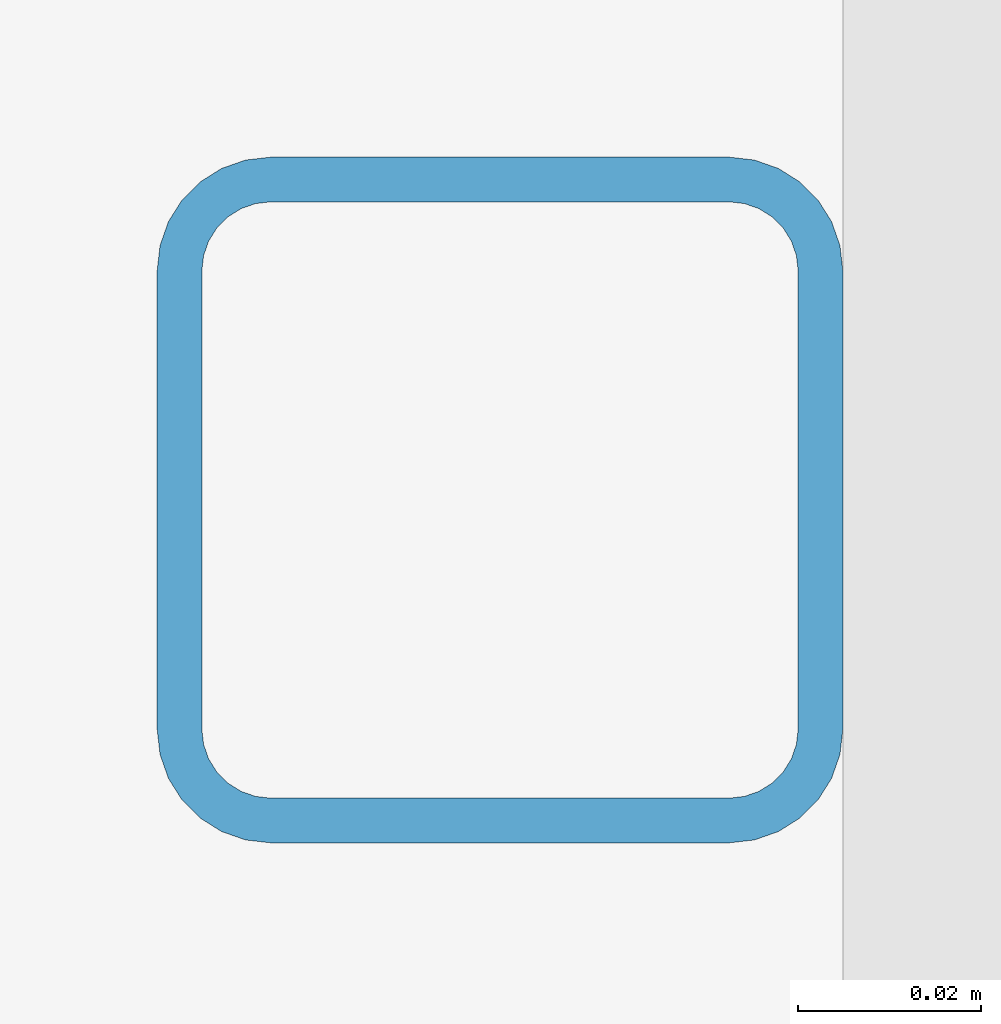
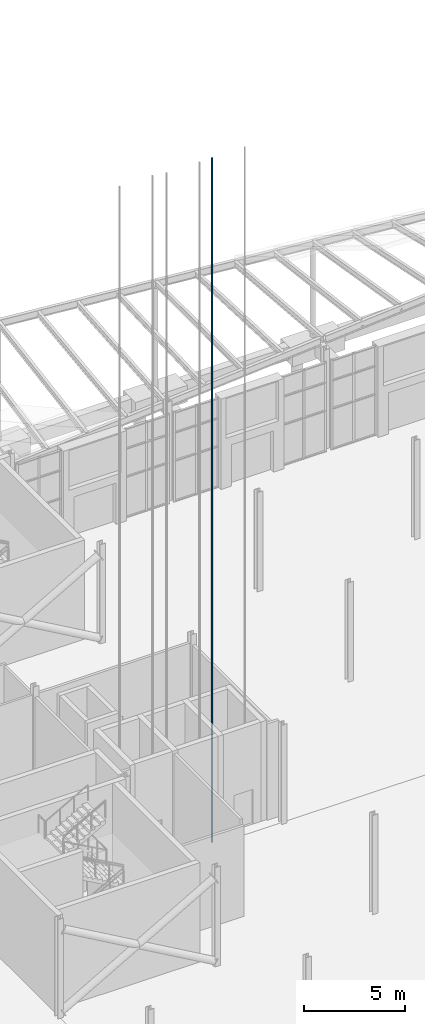
# One storey, part 59 of 139: 1 member.
"""IFC4 building model written with IfcOpenShell, lengths in metres."""

import ifcopenshell
import ifcopenshell.guid

model = None  # the IFC model being written
_history = None  # IfcOwnerHistory: only IFC2X3 demands one
_inside = {}  # id of a spatial element -> (the spatial element, [elements in it])
_under = {}  # id of a project, library or spatial element -> (it, [spatial elements below it])
_declared = {}  # id of a project -> (the project, [libraries it declares])
_typed = {}  # id of a type object -> (the type object, [elements of that type])
_made_of = {}  # id of a material, layer set ... -> (it, [elements and type objects made of it])


def new_model(schema):
    """Start an empty IFC model of exactly this schema.

    Asked for "IFC4X3", IfcOpenShell would pick the latest addendum, in which some entities
    have other attributes; the version numbers below select the first issue.
    IFC2X3 requires an IfcOwnerHistory on every rooted entity: one is made here for all.
    """
    global model, _history
    if schema == "IFC4X3":
        model = ifcopenshell.file(schema_version=(4, 3, 0, 0))
    else:
        model = ifcopenshell.file(schema=schema)
    _inside.clear()
    _under.clear()
    _declared.clear()
    _typed.clear()
    _made_of.clear()
    _history = None
    if model.schema == "IFC2X3":
        org = make("IfcOrganization", Name="unknown")
        user = make(
            "IfcPersonAndOrganization",
            ThePerson=make("IfcPerson", FamilyName="unknown"),
            TheOrganization=org,
        )
        app = make(
            "IfcApplication",
            ApplicationDeveloper=org,
            Version="unknown",
            ApplicationFullName="unknown",
            ApplicationIdentifier="unknown",
        )
        _history = make(
            "IfcOwnerHistory",
            OwningUser=user,
            OwningApplication=app,
            ChangeAction="ADDED",
            CreationDate=0,
        )
    return model


def make(cls, **values):
    """One entity of the class cls with the attributes given. An attribute that is None is left unset."""
    return model.create_entity(
        cls, **{name: value for name, value in values.items() if value is not None}
    )


def rooted(cls, **values):
    """An entity with a GlobalId (a new one), such as an element, a storey or a relation."""
    return make(cls, GlobalId=ifcopenshell.guid.new(), OwnerHistory=_history, **values)


def si_unit(unit_type, name, prefix=None):
    """IfcSIUnit, for example si_unit("LENGTHUNIT", "METRE", prefix="MILLI")."""
    return make("IfcSIUnit", UnitType=unit_type, Prefix=prefix, Name=name)


def assignment(units):
    """IfcUnitAssignment: the units of a project."""
    return None if units is None else make("IfcUnitAssignment", Units=units)


def point(xyz):
    """IfcCartesianPoint."""
    return None if xyz is None else make("IfcCartesianPoint", Coordinates=xyz)


def direction(xyz):
    """IfcDirection."""
    return None if xyz is None else make("IfcDirection", DirectionRatios=xyz)


def frame(location, z_axis=None, x_axis=None):
    """IfcAxis2Placement3D, a coordinate frame: its origin and axes. An axis left out is left unset."""
    return make(
        "IfcAxis2Placement3D",
        Location=point(location),
        Axis=direction(z_axis),
        RefDirection=direction(x_axis),
    )


def frame_2d(location, x_axis=None):
    """IfcAxis2Placement2D, a coordinate frame in the plane: its origin and x axis."""
    return make(
        "IfcAxis2Placement2D", Location=point(location), RefDirection=direction(x_axis)
    )


def origin():
    """The frame at (0, 0, 0) with its axes left unset."""
    return frame((0.0, 0.0, 0.0))


def origin_2d():
    """The frame at (0, 0) in the plane with its x axis left unset."""
    return frame_2d((0.0, 0.0))


def place(relative_to, where):
    """IfcLocalPlacement: puts the frame where relative to a parent placement (None: the world)."""
    return make(
        "IfcLocalPlacement", PlacementRelTo=relative_to, RelativePlacement=where
    )


def context(
    kind, dimensions, precision=None, world=None, true_north=None, identifier=None
):
    """IfcGeometricRepresentationContext, for example the 3D "Model" context."""
    return make(
        "IfcGeometricRepresentationContext",
        ContextIdentifier=identifier,
        ContextType=kind,
        CoordinateSpaceDimension=dimensions,
        Precision=precision,
        WorldCoordinateSystem=world,
        TrueNorth=true_north,
    )


def subcontext(parent, identifier, kind, view, scale=None):
    """IfcGeometricRepresentationSubContext, for example "Body" below "Model"."""
    return make(
        "IfcGeometricRepresentationSubContext",
        ContextIdentifier=identifier,
        ContextType=kind,
        ParentContext=parent,
        TargetScale=scale,
        TargetView=view,
    )


def project(units=None, contexts=None):
    """IfcProject with its units and contexts."""
    return rooted(
        "IfcProject",
        Name="project",
        RepresentationContexts=contexts,
        UnitsInContext=assignment(units),
    )


def spatial(cls, under=None, at=None, **own):
    """A site, building, storey or space (cls), placed at a placement, below another one or the project."""
    s = rooted(cls, ObjectPlacement=at, **own)
    if under is not None:
        _under.setdefault(under.id(), (under, []))[1].append(s)
    return s


def profile(cls, at=None, kind="AREA", **sizes):
    """A parametric profile (cls). Its sizes go by their IFC names, for example OverallWidth=200.0."""
    return make(cls, ProfileType=kind, Position=at, **sizes)


def hollow_rectangle(**sizes):
    """IfcRectangleHollowProfileDef."""
    return profile("IfcRectangleHollowProfileDef", **sizes)


def extrude(swept, where, along, depth):
    """IfcExtrudedAreaSolid: the profile swept, set in the frame where, extruded along a direction by depth."""
    return make(
        "IfcExtrudedAreaSolid",
        SweptArea=swept,
        Position=where,
        ExtrudedDirection=direction(along),
        Depth=depth,
    )


def shape(context_of_items, identifier, shape_type, items):
    """IfcShapeRepresentation: the items that make up one representation, for example the "Body"."""
    return make(
        "IfcShapeRepresentation",
        ContextOfItems=context_of_items,
        RepresentationIdentifier=identifier,
        RepresentationType=shape_type,
        Items=items,
    )


def material(Name=None, Category=None):
    """IfcMaterial."""
    return make("IfcMaterial", Name=Name, Category=Category)


def material_profile(
    of_material, cross_section, Name=None, Category=None, Priority=None
):
    """IfcMaterialProfile: a cross section and its material."""
    return make(
        "IfcMaterialProfile",
        Name=Name,
        Material=of_material,
        Profile=cross_section,
        Priority=Priority,
        Category=Category,
    )


def profile_set(profiles, Name=None, composite=None):
    """IfcMaterialProfileSet."""
    return make(
        "IfcMaterialProfileSet",
        Name=Name,
        MaterialProfiles=profiles,
        CompositeProfile=composite,
    )


def made_of(thing, what):
    """Note that an element or type object is made of a material, layer set ...; save() writes the relation."""
    if what is not None:
        _made_of.setdefault(what.id(), (what, []))[1].append(thing)
    return thing


def type_object(cls, material=None, **own):
    """A type object (cls), such as IfcWallType, which elements share."""
    return made_of(rooted(cls, **own), material)


def element(
    cls,
    number,
    at=None,
    inside=None,
    cuts=None,
    type_object=None,
    material=None,
    context=None,
    identifier="Body",
    shape_type=None,
    held_by="IfcProductDefinitionShape",
    body=None,
    shapes=None,
    **own,
):
    """One element of the class cls, such as IfcWall. Its Tag is "e" and its number.

    at: its placement. inside: the storey or other place that contains it. cuts: it is an
    opening in that element (IfcRelVoidsElement). A single representation is given by context,
    identifier, shape_type and body (its items); several are given by shapes. held_by: the class
    of the entity that holds the representations. save() writes the other relations.
    """
    e = rooted(cls, Tag="e%d" % number, ObjectPlacement=at, **own)
    if body is not None:
        shapes = [shape(context, identifier, shape_type, body)]
    if shapes is not None:
        e.Representation = make(held_by, Representations=shapes)
    if inside is not None:
        _inside.setdefault(inside.id(), (inside, []))[1].append(e)
    if cuts is not None:
        rooted(
            "IfcRelVoidsElement", RelatingBuildingElement=cuts, RelatedOpeningElement=e
        )
    if type_object is not None:
        _typed.setdefault(type_object.id(), (type_object, []))[1].append(e)
    return made_of(e, material)


def aggregate(whole, parts):
    """IfcRelAggregates: a whole, such as a stair, and the parts it consists of."""
    return rooted("IfcRelAggregates", RelatingObject=whole, RelatedObjects=parts)


def save(model, path):
    """Write the relations noted so far, then the file.

    IfcRelAggregates (storeys below a building ...), IfcRelContainedInSpatialStructure (elements
    in a storey), IfcRelDefinesByType, IfcRelAssociatesMaterial and IfcRelDeclares: one each for
    every whole, place, type object, material and project.
    """
    for whole, parts in _under.values():
        aggregate(whole, parts)
    for where, things in _inside.values():
        rooted(
            "IfcRelContainedInSpatialStructure",
            RelatedElements=things,
            RelatingStructure=where,
        )
    for kind, things in _typed.values():
        rooted("IfcRelDefinesByType", RelatedObjects=things, RelatingType=kind)
    for what, things in _made_of.values():
        rooted("IfcRelAssociatesMaterial", RelatedObjects=things, RelatingMaterial=what)
    for by, libraries in _declared.values():
        rooted("IfcRelDeclares", RelatingContext=by, RelatedDefinitions=libraries)
    model.write(path)


model = new_model("IFC4")

# Units and contexts
model_context = context("Model", 3, precision=1e-05, world=origin(), true_north=direction((0.0, 1.0)))
body_context = subcontext(model_context, "Body", "Model", "MODEL_VIEW")
ifc_project = project(units=[si_unit("LENGTHUNIT", "METRE"), si_unit("AREAUNIT", "SQUARE_METRE"), si_unit("VOLUMEUNIT", "CUBIC_METRE"), si_unit("PLANEANGLEUNIT", "RADIAN"), si_unit("MASSUNIT", "GRAM", prefix="KILO")], contexts=[model_context])

# Site, building, storey
site_placement = place(None, origin())
site = spatial("IfcSite", under=ifc_project, at=site_placement, CompositionType="ELEMENT")
building_placement = place(site_placement, origin())
building = spatial("IfcBuilding", under=site, at=building_placement, Name="Shorebreak Coast Museum", CompositionType="ELEMENT")
storey_placement = place(building_placement, origin())
storey = spatial("IfcBuildingStorey", under=building, at=storey_placement, Name="L00", CompositionType="ELEMENT", Elevation=0.0)

# Member
ifc_material = material(Name="Steel Grade C450L0", Category="steel")
ifc_material_profile = material_profile(ifc_material, hollow_rectangle(XDim=0.074951171875, YDim=0.074951171875, WallThickness=0.0048828125, InnerFilletRadius=0.007568359375, OuterFilletRadius=0.012451171875, at=origin_2d()), Name="75x75x5.0 SHS")
ifc_profile_set = profile_set([ifc_material_profile], Name="Steel Grade C450L0")
member_type = type_object("IfcMemberType", Name="Lift guide rail 75x75x5.0 SHS", PredefinedType="POST", material=ifc_profile_set)
member_placement = place(storey_placement, frame((69.16259765625, 92.10009765625, -1.5), z_axis=(0.0, 0.0, 1.0), x_axis=(1.0, 0.0, 0.0)))
element("IfcMember", 1, at=member_placement, inside=storey, type_object=member_type, Name="Lift P2 guide rail", PredefinedType="POST", context=body_context, shape_type="SweptSolid", body=[
    extrude(hollow_rectangle(XDim=0.074951171875, YDim=0.074951171875, WallThickness=0.0048828125, InnerFilletRadius=0.007568359375, OuterFilletRadius=0.012451171875, at=origin_2d()), origin(), (0.0, 0.0, 1.0), 41.39990234375),
])

save(model, "model.ifc")
